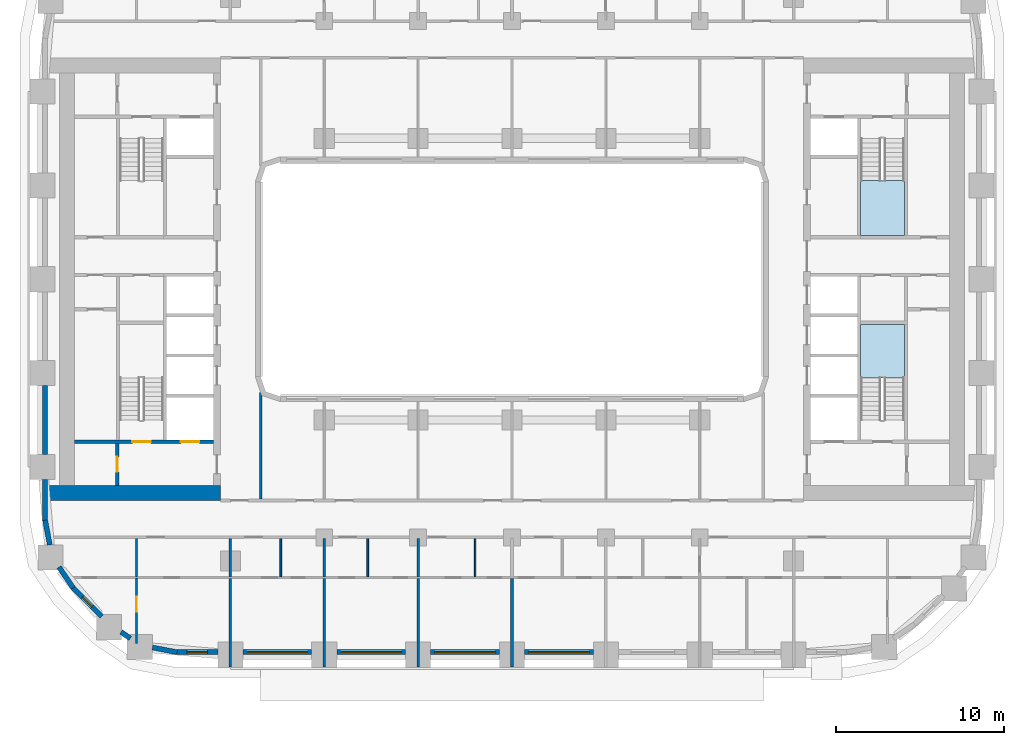
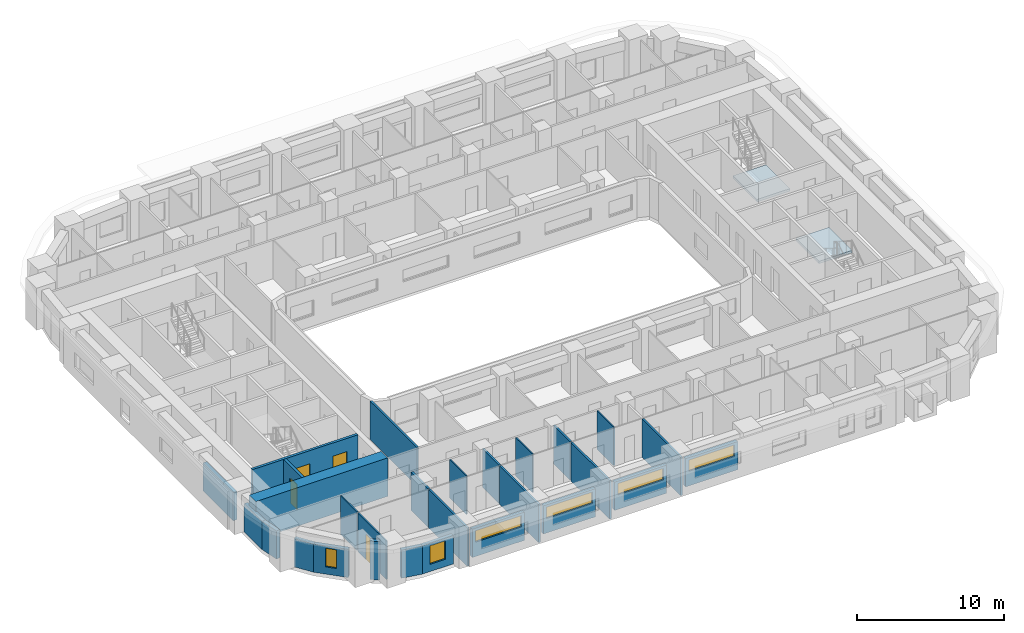
# One storey, part 2 of 21: 28 walls, 6 windows, 4 doors, 2 slabs, 10 openings, 2 elements without a shape of their own.
"""IFC4 building model written with IfcOpenShell, lengths in metres."""

from ifc_helpers import new_model, si_unit, direction, frame, frame_2d, origin, place, context, subcontext, project, spatial, polyline, rectangle, outline, extrude, material, layer, layer_set, type_object, element, fill, aggregate, save


model = new_model("IFC4")

# Units and contexts
model_context = context("Model", 3, precision=1e-05, world=origin(), true_north=direction((0.0, 1.0)))
body_context = subcontext(model_context, "Body", "Model", "MODEL_VIEW")
ifc_project = project(units=[si_unit("LENGTHUNIT", "METRE"), si_unit("AREAUNIT", "SQUARE_METRE"), si_unit("VOLUMEUNIT", "CUBIC_METRE"), si_unit("PLANEANGLEUNIT", "RADIAN"), si_unit("MASSUNIT", "GRAM", prefix="KILO")], contexts=[model_context])

# Site, building, storey
site_placement = place(None, origin())
site = spatial("IfcSite", under=ifc_project, at=site_placement, CompositionType="ELEMENT")
building_placement = place(site_placement, origin())
building = spatial("IfcBuilding", under=site, at=building_placement, Name="Kiln Ring Residences", CompositionType="ELEMENT")
storey_placement = place(building_placement, frame((0.0, 0.0, 34.0)))
storey = spatial("IfcBuildingStorey", under=building, at=storey_placement, Name="L07", CompositionType="ELEMENT", Elevation=34.0)

# Stair, slab
ifc_material_1 = material(Name="Concrete C40/50", Category="concrete")
stair_type = type_object("IfcStairType", Name="CORE-STAIR", PredefinedType="HALF_TURN_STAIR", material=ifc_material_1)
placement_1 = place(storey_placement, origin())
stair_1 = element("IfcStair", 1, at=placement_1, inside=storey, type_object=stair_type, Name="L07 stair E-STN", PredefinedType="HALF_TURN_STAIR")
ifc_material_2 = material(Name="Concrete C40/50", Category="concrete")
ifc_layer_1 = layer(ifc_material_2, 0.199951171875)
ifc_layer_set_1 = layer_set([ifc_layer_1], Name="CORE-STAIR-LANDING")
slab_type = type_object("IfcSlabType", Name="CORE-STAIR-LANDING", PredefinedType="LANDING", material=ifc_layer_set_1)
placement_2 = place(storey_placement, frame((0.0, 0.0, 1.550048828125)))
slab_1 = element("IfcSlab", 2, at=placement_2, type_object=slab_type, Name="E-STN landing 1", PredefinedType="LANDING", context=body_context, shape_type="SweptSolid", body=[
    extrude(outline(polyline([(20.800048828125, 5.8798828125), (20.800048828125, 2.60009765625), (23.39990234375, 2.60009765625), (23.39990234375, 5.8798828125), (20.800048828125, 5.8798828125)])), origin(), (0.0, 0.0, 1.0), 0.199951171875),
])
aggregate(stair_1, [slab_1])

stair_2 = element("IfcStair", 3, at=placement_1, inside=storey, type_object=stair_type, Name="L07 stair E-STS", PredefinedType="HALF_TURN_STAIR")
slab_2 = element("IfcSlab", 4, at=placement_2, type_object=slab_type, Name="E-STS landing 1", PredefinedType="LANDING", context=body_context, shape_type="SweptSolid", body=[
    extrude(outline(polyline([(23.39990234375, -5.8798828125), (23.39990234375, -2.699951171875), (20.800048828125, -2.699951171875), (20.800048828125, -5.8798828125), (23.39990234375, -5.8798828125)])), origin(), (0.0, 0.0, 1.0), 0.199951171875),
])
aggregate(stair_2, [slab_2])

# Wall, opening, door
ifc_material_3 = material(Name="Gypsum board on steel studs", Category="steel")
ifc_layer_2 = layer(ifc_material_3, 0.199951171875)
ifc_layer_set_2 = layer_set([ifc_layer_2], Name="CORE-PARTITION-200")
wall_type_1 = type_object("IfcWallType", Name="CORE-PARTITION-200", PredefinedType="PARTITIONING", material=ifc_layer_set_2)
wall_1_placement = place(storey_placement, frame((-23.550048828125, -12.300048828125, 0.0), z_axis=(0.0, 0.0, 1.0), x_axis=(0.0, 1.0, 0.0)))
wall_1 = element("IfcWall", 5, at=wall_1_placement, inside=storey, type_object=wall_type_1, Name="Core partition west L07 4", PredefinedType="PARTITIONING", context=body_context, shape_type="SweptSolid", body=[
    extrude(rectangle(XDim=2.5, YDim=0.199951171875, at=frame_2d((1.25, 0.0))), origin(), (0.0, 0.0, 1.0), 3.199951171875),
])
opening_1_placement = place(wall_1_placement, frame((0.800048828125, 0.0, 0.0)))
opening_1 = element("IfcOpeningElement", 6, at=opening_1_placement, cuts=wall_1, Name="Opening L07-CW10", PredefinedType="OPENING", context=body_context, shape_type="SweptSolid", body=[
    extrude(rectangle(XDim=0.89990234375, YDim=2.10009765625, at=frame_2d((0.449951171875, 1.050048828125))), frame((0.0, 0.10986328125, 0.0), z_axis=(0.0, -1.0, 0.0), x_axis=(1.0, 0.0, 0.0)), (0.0, 0.0, 1.0), 0.219970703125),
])
ifc_material_4 = material(Name="Steel door leaf", Category="steel")
door_type_1 = type_object("IfcDoorType", Name="CORE-DOOR-ROOM", OperationType="SINGLE_SWING_LEFT", PredefinedType="DOOR", material=ifc_material_4)
door_1_placement = place(opening_1_placement, origin())
door_1 = element("IfcDoor", 7, at=door_1_placement, inside=storey, type_object=door_type_1, Name="Store L07-CW10", OperationType="SINGLE_SWING_RIGHT", OverallHeight=2.10009765625, OverallWidth=0.89990234375, PredefinedType="DOOR", context=body_context, shape_type="SweptSolid", body=[
    extrude(rectangle(XDim=0.89990234375, YDim=2.10009765625, at=frame_2d((0.449951171875, 1.050048828125))), frame((0.0, 0.02490234375, 0.0), z_axis=(0.0, -1.0, 0.0), x_axis=(1.0, 0.0, 0.0)), (0.0, 0.0, 1.0), 0.050048828125),
])
fill(opening_1, door_1)

# Wall, openings, doors
ifc_material_5 = material(Name="Concrete C40/50", Category="concrete")
ifc_layer_3 = layer(ifc_material_5, 0.199951171875)
ifc_layer_set_3 = layer_set([ifc_layer_3], Name="CORE-WALL-RC200")
wall_type_2 = type_object("IfcWallType", Name="CORE-WALL-RC200", PredefinedType="SHEAR", material=ifc_layer_set_3)
wall_2_placement = place(storey_placement, frame((-17.800048828125, -9.699951171875, 0.0), z_axis=(0.0, 0.0, 1.0), x_axis=(-1.0, 0.0, 0.0)))
wall_2 = element("IfcWall", 8, at=wall_2_placement, inside=storey, type_object=wall_type_2, Name="Core wall west L07 8", PredefinedType="SHEAR", context=body_context, shape_type="SweptSolid", body=[
    extrude(rectangle(XDim=8.300048828125, YDim=0.199951171875, at=frame_2d((4.14990234375, 0.0))), origin(), (0.0, 0.0, 1.0), 3.199951171875),
])
opening_2_placement = place(wall_2_placement, frame((0.85009765625, 0.0, 0.0)))
opening_2 = element("IfcOpeningElement", 9, at=opening_2_placement, cuts=wall_2, Name="Opening L07-CW01", PredefinedType="OPENING", context=body_context, shape_type="SweptSolid", body=[
    extrude(rectangle(XDim=1.10009765625, YDim=2.10009765625, at=frame_2d((0.550048828125, 1.050048828125))), frame((0.0, 0.10986328125, 0.0), z_axis=(0.0, -1.0, 0.0), x_axis=(1.0, 0.0, 0.0)), (0.0, 0.0, 1.0), 0.219970703125),
])
opening_3_placement = place(wall_2_placement, frame((3.75, 0.0, 0.0)))
opening_3 = element("IfcOpeningElement", 10, at=opening_3_placement, cuts=wall_2, Name="Opening L07-CW12", PredefinedType="OPENING", context=body_context, shape_type="SweptSolid", body=[
    extrude(rectangle(XDim=1.10009765625, YDim=2.10009765625, at=frame_2d((0.550048828125, 1.050048828125))), frame((0.0, 0.10986328125, 0.0), z_axis=(0.0, -1.0, 0.0), x_axis=(1.0, 0.0, 0.0)), (0.0, 0.0, 1.0), 0.219970703125),
])
ifc_material_6 = material(Name="Steel door leaf", Category="steel")
door_type_2 = type_object("IfcDoorType", Name="CORE-DOOR-LD", OperationType="DOUBLE_DOOR_SLIDING", PredefinedType="DOOR", material=ifc_material_6)
door_2_placement = place(opening_2_placement, origin())
door_2 = element("IfcDoor", 11, at=door_2_placement, inside=storey, type_object=door_type_2, Name="LD W-SV L07-CW01", OperationType="DOUBLE_DOOR_SLIDING", OverallHeight=2.10009765625, OverallWidth=1.10009765625, PredefinedType="DOOR", context=body_context, shape_type="SweptSolid", body=[
    extrude(rectangle(XDim=1.10009765625, YDim=2.10009765625, at=frame_2d((0.550048828125, 1.050048828125))), frame((0.0, 0.02490234375, 0.0), z_axis=(0.0, -1.0, 0.0), x_axis=(1.0, 0.0, 0.0)), (0.0, 0.0, 1.0), 0.050048828125),
])
fill(opening_2, door_2)
ifc_material_7 = material(Name="Steel door leaf", Category="steel")
door_type_3 = type_object("IfcDoorType", Name="CORE-DOOR-STAIR", OperationType="SINGLE_SWING_LEFT", PredefinedType="DOOR", material=ifc_material_7)
door_3_placement = place(opening_3_placement, origin())
door_3 = element("IfcDoor", 12, at=door_3_placement, inside=storey, type_object=door_type_3, Name="Stair W-STS L07-CW12", OperationType="SINGLE_SWING_LEFT", OverallHeight=2.10009765625, OverallWidth=1.10009765625, PredefinedType="DOOR", context=body_context, shape_type="SweptSolid", body=[
    extrude(rectangle(XDim=1.10009765625, YDim=2.10009765625, at=frame_2d((0.550048828125, 1.050048828125))), frame((0.0, 0.02490234375, 0.0), z_axis=(0.0, -1.0, 0.0), x_axis=(1.0, 0.0, 0.0)), (0.0, 0.0, 1.0), 0.050048828125),
])
fill(opening_3, door_3)

# Wall
ifc_material_8 = material(Name="Concrete C60/75", Category="concrete")
ifc_layer_4 = layer(ifc_material_8, 0.89990234375)
ifc_layer_set_4 = layer_set([ifc_layer_4], Name="CORE-WALL-RC900")
wall_type_3 = type_object("IfcWallType", Name="CORE-WALL-RC900", PredefinedType="SHEAR", material=ifc_layer_set_4)
wall_3_placement = place(storey_placement, frame((-17.39990234375, -12.75, 0.0), z_axis=(0.0, 0.0, 1.0), x_axis=(-1.0, 0.0, 0.0)))
element("IfcWall", 13, at=wall_3_placement, inside=storey, type_object=wall_type_3, Name="Core wall west L07 5", PredefinedType="SHEAR", context=body_context, shape_type="SweptSolid", body=[
    extrude(rectangle(XDim=10.400146484375, YDim=0.89990234375, at=frame_2d((5.2001953125, 0.0))), origin(), (0.0, 0.0, 1.0), 3.199951171875),
])

# Wall, opening, window
ifc_material_9 = material(Name="Brick masonry, dark clay brick", Category="masonry")
ifc_layer_5 = layer(ifc_material_9, 0.300048828125)
ifc_layer_set_5 = layer_set([ifc_layer_5], Name="EW-300 BRICK WALL")
wall_type_4 = type_object("IfcWallType", Name="EW-300 BRICK WALL", PredefinedType="SOLIDWALL", material=ifc_layer_set_5)
wall_4_placement = place(storey_placement, frame((-26.19677734375, -18.390869140625, 0.0), z_axis=(0.0, 0.0, 1.0), x_axis=(0.707106781187, -0.707106781187, 0.0)))
wall_4 = element("IfcWall", 14, at=wall_4_placement, inside=storey, type_object=wall_type_4, Name="Facade wall L07 1", PredefinedType="SOLIDWALL", context=body_context, shape_type="SweptSolid", body=[
    extrude(rectangle(XDim=2.449951171875, YDim=0.300048828125, at=frame_2d((1.22509765625, 0.0))), origin(), (0.0, 0.0, 1.0), 2.35009765625),
])
opening_4_placement = place(wall_4_placement, frame((0.824951171875, 0.0, 0.60009765625)))
opening_4 = element("IfcOpeningElement", 15, at=opening_4_placement, cuts=wall_4, Name="Opening W5", PredefinedType="OPENING", context=body_context, shape_type="SweptSolid", body=[
    extrude(rectangle(XDim=0.800048828125, YDim=1.550048828125, at=frame_2d((0.39990234375, 0.77490234375))), frame((0.0, 0.159912109375, 0.0), z_axis=(0.0, -1.0, 0.0), x_axis=(1.0, 0.0, 0.0)), (0.0, 0.0, 1.0), 0.320068359375),
])
ifc_material_10 = material(Name="Aluminium frame with double glazing", Category="aluminium")
window_type_1 = type_object("IfcWindowType", Name="WINDOW 800 x 1550", PartitioningType="SINGLE_PANEL", PredefinedType="WINDOW", material=ifc_material_10)
window_1_placement = place(opening_4_placement, origin())
window_1 = element("IfcWindow", 16, at=window_1_placement, inside=storey, type_object=window_type_1, Name="Window L07 1", OverallHeight=1.550048828125, OverallWidth=0.800048828125, PartitioningType="SINGLE_PANEL", PredefinedType="WINDOW", context=body_context, shape_type="SweptSolid", body=[
    extrude(rectangle(XDim=0.800048828125, YDim=1.550048828125, at=frame_2d((0.39990234375, 0.77490234375))), frame((0.0, 0.030029296875, 0.0), z_axis=(0.0, -1.0, 0.0), x_axis=(1.0, 0.0, 0.0)), (0.0, 0.0, 1.0), 0.06005859375),
])
fill(opening_4, window_1)

# Walls
wall_5_placement = place(storey_placement, frame((-23.3271484375, -21.044921875, 0.0), z_axis=(0.0, 0.0, 1.0), x_axis=(0.827080706709, -0.562083182981, 0.0)))
element("IfcWall", 17, at=wall_5_placement, inside=storey, type_object=wall_type_4, Name="Facade wall L07 2", PredefinedType="SOLIDWALL", context=body_context, shape_type="SweptSolid", body=[
    extrude(rectangle(XDim=0.67724609375, YDim=0.300048828125, at=frame_2d((0.338623046875, 0.0))), origin(), (0.0, 0.0, 1.0), 3.199951171875),
])
wall_6_placement = place(storey_placement, frame((-21.451416015625, -21.970458984375, 0.0), z_axis=(0.0, 0.0, 1.0), x_axis=(0.982287454367, -0.187380247071, 0.0)))
element("IfcWall", 18, at=wall_6_placement, inside=storey, type_object=wall_type_4, Name="Facade wall L07 3", PredefinedType="SOLIDWALL", context=body_context, shape_type="SweptSolid", body=[
    extrude(rectangle(XDim=1.506103515625, YDim=0.300048828125, at=frame_2d((0.7529296875, 0.0))), origin(), (0.0, 0.0, 1.0), 2.35009765625),
])

# Wall, opening, window
wall_7_placement = place(storey_placement, frame((-20.0, -22.25, 0.0), z_axis=(0.0, 0.0, 1.0), x_axis=(1.0, 0.0, 0.0)))
wall_7 = element("IfcWall", 19, at=wall_7_placement, inside=storey, type_object=wall_type_4, Name="Facade wall L07 4", PredefinedType="SOLIDWALL", context=body_context, shape_type="SweptSolid", body=[
    extrude(rectangle(XDim=2.449951171875, YDim=0.300048828125, at=frame_2d((1.22509765625, 0.0))), origin(), (0.0, 0.0, 1.0), 2.35009765625),
])
opening_5_placement = place(wall_7_placement, frame((0.625, 0.0, 0.60009765625)))
opening_5 = element("IfcOpeningElement", 20, at=opening_5_placement, cuts=wall_7, Name="Opening W1", PredefinedType="OPENING", context=body_context, shape_type="SweptSolid", body=[
    extrude(rectangle(XDim=1.199951171875, YDim=1.550048828125, at=frame_2d((0.60009765625, 0.77490234375))), frame((0.0, 0.159912109375, 0.0), z_axis=(0.0, -1.0, 0.0), x_axis=(1.0, 0.0, 0.0)), (0.0, 0.0, 1.0), 0.320068359375),
])
ifc_material_11 = material(Name="Aluminium frame with double glazing", Category="aluminium")
window_type_2 = type_object("IfcWindowType", Name="WINDOW 1200 x 1550", PartitioningType="SINGLE_PANEL", PredefinedType="WINDOW", material=ifc_material_11)
window_2_placement = place(opening_5_placement, origin())
window_2 = element("IfcWindow", 21, at=window_2_placement, inside=storey, type_object=window_type_2, Name="Window L07 2", OverallHeight=1.550048828125, OverallWidth=1.199951171875, PartitioningType="SINGLE_PANEL", PredefinedType="WINDOW", context=body_context, shape_type="SweptSolid", body=[
    extrude(rectangle(XDim=1.199951171875, YDim=1.550048828125, at=frame_2d((0.60009765625, 0.77490234375))), frame((0.0, 0.030029296875, 0.0), z_axis=(0.0, -1.0, 0.0), x_axis=(1.0, 0.0, 0.0)), (0.0, 0.0, 1.0), 0.06005859375),
])
fill(opening_5, window_2)

wall_8_placement = place(storey_placement, frame((-16.050048828125, -22.25, 0.0), z_axis=(0.0, 0.0, 1.0), x_axis=(1.0, 0.0, 0.0)))
wall_8 = element("IfcWall", 22, at=wall_8_placement, inside=storey, type_object=wall_type_4, Name="Facade wall L07 5", PredefinedType="SOLIDWALL", context=body_context, shape_type="SweptSolid", body=[
    extrude(rectangle(XDim=4.10009765625, YDim=0.300048828125, at=frame_2d((2.050048828125, 0.0))), origin(), (0.0, 0.0, 1.0), 2.35009765625),
])
opening_6_placement = place(wall_8_placement, frame((0.25, 0.0, 1.199951171875)))
opening_6 = element("IfcOpeningElement", 23, at=opening_6_placement, cuts=wall_8, Name="Opening W4", PredefinedType="OPENING", context=body_context, shape_type="SweptSolid", body=[
    extrude(rectangle(XDim=3.60009765625, YDim=0.949951171875, at=frame_2d((1.800048828125, 0.47509765625))), frame((0.0, 0.159912109375, 0.0), z_axis=(0.0, -1.0, 0.0), x_axis=(1.0, 0.0, 0.0)), (0.0, 0.0, 1.0), 0.320068359375),
])
ifc_material_12 = material(Name="Aluminium frame with double glazing", Category="aluminium")
window_type_3 = type_object("IfcWindowType", Name="WINDOW 3600 x 950", PartitioningType="SINGLE_PANEL", PredefinedType="WINDOW", material=ifc_material_12)
window_3_placement = place(opening_6_placement, origin())
window_3 = element("IfcWindow", 24, at=window_3_placement, inside=storey, type_object=window_type_3, Name="Window L07 3", OverallHeight=0.949951171875, OverallWidth=3.60009765625, PartitioningType="SINGLE_PANEL", PredefinedType="WINDOW", context=body_context, shape_type="SweptSolid", body=[
    extrude(rectangle(XDim=3.60009765625, YDim=0.949951171875, at=frame_2d((1.800048828125, 0.47509765625))), frame((0.0, 0.030029296875, 0.0), z_axis=(0.0, -1.0, 0.0), x_axis=(1.0, 0.0, 0.0)), (0.0, 0.0, 1.0), 0.06005859375),
])
fill(opening_6, window_3)

wall_9_placement = place(storey_placement, frame((-10.449951171875, -22.25, 0.0), z_axis=(0.0, 0.0, 1.0), x_axis=(1.0, 0.0, 0.0)))
wall_9 = element("IfcWall", 25, at=wall_9_placement, inside=storey, type_object=wall_type_4, Name="Facade wall L07 6", PredefinedType="SOLIDWALL", context=body_context, shape_type="SweptSolid", body=[
    extrude(rectangle(XDim=4.099853515625, YDim=0.300048828125, at=frame_2d((2.0498046875, 0.0))), origin(), (0.0, 0.0, 1.0), 2.35009765625),
])
opening_7_placement = place(wall_9_placement, frame((0.25, 0.0, 1.199951171875)))
opening_7 = element("IfcOpeningElement", 26, at=opening_7_placement, cuts=wall_9, Name="Opening W4", PredefinedType="OPENING", context=body_context, shape_type="SweptSolid", body=[
    extrude(rectangle(XDim=3.60009765625, YDim=0.949951171875, at=frame_2d((1.800048828125, 0.47509765625))), frame((0.0, 0.159912109375, 0.0), z_axis=(0.0, -1.0, 0.0), x_axis=(1.0, 0.0, 0.0)), (0.0, 0.0, 1.0), 0.320068359375),
])
window_4_placement = place(opening_7_placement, origin())
window_4 = element("IfcWindow", 27, at=window_4_placement, inside=storey, type_object=window_type_3, Name="Window L07 4", OverallHeight=0.949951171875, OverallWidth=3.60009765625, PartitioningType="SINGLE_PANEL", PredefinedType="WINDOW", context=body_context, shape_type="SweptSolid", body=[
    extrude(rectangle(XDim=3.60009765625, YDim=0.949951171875, at=frame_2d((1.800048828125, 0.47509765625))), frame((0.0, 0.030029296875, 0.0), z_axis=(0.0, -1.0, 0.0), x_axis=(1.0, 0.0, 0.0)), (0.0, 0.0, 1.0), 0.06005859375),
])
fill(opening_7, window_4)

wall_10_placement = place(storey_placement, frame((-4.85009765625, -22.25, 0.0), z_axis=(0.0, 0.0, 1.0), x_axis=(1.0, 0.0, 0.0)))
wall_10 = element("IfcWall", 28, at=wall_10_placement, inside=storey, type_object=wall_type_4, Name="Facade wall L07 7", PredefinedType="SOLIDWALL", context=body_context, shape_type="SweptSolid", body=[
    extrude(rectangle(XDim=4.10009765625, YDim=0.300048828125, at=frame_2d((2.050048828125, 0.0))), origin(), (0.0, 0.0, 1.0), 2.35009765625),
])
opening_8_placement = place(wall_10_placement, frame((0.25, 0.0, 1.199951171875)))
opening_8 = element("IfcOpeningElement", 29, at=opening_8_placement, cuts=wall_10, Name="Opening W4", PredefinedType="OPENING", context=body_context, shape_type="SweptSolid", body=[
    extrude(rectangle(XDim=3.60009765625, YDim=0.949951171875, at=frame_2d((1.800048828125, 0.47509765625))), frame((0.0, 0.159912109375, 0.0), z_axis=(0.0, -1.0, 0.0), x_axis=(1.0, 0.0, 0.0)), (0.0, 0.0, 1.0), 0.320068359375),
])
window_5_placement = place(opening_8_placement, origin())
window_5 = element("IfcWindow", 30, at=window_5_placement, inside=storey, type_object=window_type_3, Name="Window L07 5", OverallHeight=0.949951171875, OverallWidth=3.60009765625, PartitioningType="SINGLE_PANEL", PredefinedType="WINDOW", context=body_context, shape_type="SweptSolid", body=[
    extrude(rectangle(XDim=3.60009765625, YDim=0.949951171875, at=frame_2d((1.800048828125, 0.47509765625))), frame((0.0, 0.030029296875, 0.0), z_axis=(0.0, -1.0, 0.0), x_axis=(1.0, 0.0, 0.0)), (0.0, 0.0, 1.0), 0.06005859375),
])
fill(opening_8, window_5)

wall_11_placement = place(storey_placement, frame((0.75, -22.25, 0.0), z_axis=(0.0, 0.0, 1.0), x_axis=(1.0, 0.0, 0.0)))
wall_11 = element("IfcWall", 31, at=wall_11_placement, inside=storey, type_object=wall_type_4, Name="Facade wall L07 8", PredefinedType="SOLIDWALL", context=body_context, shape_type="SweptSolid", body=[
    extrude(rectangle(XDim=4.10009765625, YDim=0.300048828125, at=frame_2d((2.050048828125, 0.0))), origin(), (0.0, 0.0, 1.0), 2.35009765625),
])
opening_9_placement = place(wall_11_placement, frame((0.25, 0.0, 1.199951171875)))
opening_9 = element("IfcOpeningElement", 32, at=opening_9_placement, cuts=wall_11, Name="Opening W4", PredefinedType="OPENING", context=body_context, shape_type="SweptSolid", body=[
    extrude(rectangle(XDim=3.60009765625, YDim=0.949951171875, at=frame_2d((1.800048828125, 0.47509765625))), frame((0.0, 0.159912109375, 0.0), z_axis=(0.0, -1.0, 0.0), x_axis=(1.0, 0.0, 0.0)), (0.0, 0.0, 1.0), 0.320068359375),
])
window_6_placement = place(opening_9_placement, origin())
window_6 = element("IfcWindow", 33, at=window_6_placement, inside=storey, type_object=window_type_3, Name="Window L07 6", OverallHeight=0.949951171875, OverallWidth=3.60009765625, PartitioningType="SINGLE_PANEL", PredefinedType="WINDOW", context=body_context, shape_type="SweptSolid", body=[
    extrude(rectangle(XDim=3.60009765625, YDim=0.949951171875, at=frame_2d((1.800048828125, 0.47509765625))), frame((0.0, 0.030029296875, 0.0), z_axis=(0.0, -1.0, 0.0), x_axis=(1.0, 0.0, 0.0)), (0.0, 0.0, 1.0), 0.06005859375),
])
fill(opening_9, window_6)

# Walls
wall_12_placement = place(storey_placement, frame((-27.85009765625, -6.35009765625, 0.0), z_axis=(0.0, 0.0, 1.0), x_axis=(0.0, -1.0, 0.0)))
element("IfcWall", 34, at=wall_12_placement, inside=storey, type_object=wall_type_4, Name="Facade wall L07 45", PredefinedType="SOLIDWALL", context=body_context, shape_type="SweptSolid", body=[
    extrude(rectangle(XDim=4.099853515625, YDim=0.300048828125, at=frame_2d((2.0498046875, 0.0))), origin(), (0.0, 0.0, 1.0), 2.35009765625),
])
wall_13_placement = place(storey_placement, frame((-27.85009765625, -11.949951171875, 0.0), z_axis=(0.0, 0.0, 1.0), x_axis=(0.0, -1.0, 0.0)))
element("IfcWall", 35, at=wall_13_placement, inside=storey, type_object=wall_type_4, Name="Facade wall L07 46", PredefinedType="SOLIDWALL", context=body_context, shape_type="SweptSolid", body=[
    extrude(rectangle(XDim=2.449951171875, YDim=0.300048828125, at=frame_2d((1.22509765625, 0.0))), origin(), (0.0, 0.0, 1.0), 2.35009765625),
])
for number, where, z_axis, x_axis, name in (
    (36, (-27.8525390625, -14.371826171875, 0.0), (0.0, 0.0, 1.0), (0.187223837635, -0.982317277982, 0.0), "Facade wall L07 47"),
    (37, (-27.025390625, -17.1669921875, 0.0), (0.0, 0.0, 1.0), (0.561973021955, -0.827155561303, 0.0), "Facade wall L07 48"),
):
    element("IfcWall", number, at=place(storey_placement, frame(where, z_axis=z_axis, x_axis=x_axis)), inside=storey, type_object=wall_type_4, Name=name, PredefinedType="SOLIDWALL", context=body_context, shape_type="SweptSolid", body=[
        extrude(rectangle(XDim=1.506103515625, YDim=0.300048828125, at=frame_2d((0.7529296875, 0.0))), origin(), (0.0, 0.0, 1.0), 2.35009765625),
    ])

# Wall, opening, door
ifc_material_13 = material(Name="Gypsum board on steel studs", Category="steel")
ifc_layer_6 = layer(ifc_material_13, 0.10009765625)
ifc_layer_set_6 = layer_set([ifc_layer_6], Name="PARTITION-100")
wall_type_5 = type_object("IfcWallType", Name="PARTITION-100", PredefinedType="PARTITIONING", material=ifc_layer_set_6)
wall_14_placement = place(storey_placement, frame((-22.39990234375, -21.719970703125, 0.0), z_axis=(0.0, 0.0, 1.0), x_axis=(0.0, 1.0, 0.0)))
wall_14 = element("IfcWall", 38, at=wall_14_placement, inside=storey, type_object=wall_type_5, Name="Partition 006", PredefinedType="PARTITIONING", context=body_context, shape_type="SweptSolid", body=[
    extrude(rectangle(XDim=3.869873046875, YDim=0.10009765625, at=frame_2d((1.93505859375, 0.0))), origin(), (0.0, 0.0, 1.0), 3.199951171875),
])
opening_10_placement = place(wall_14_placement, frame((1.8701171875, 0.0, 0.0)))
opening_10 = element("IfcOpeningElement", 39, at=opening_10_placement, cuts=wall_14, Name="Opening L07-D046", PredefinedType="OPENING", context=body_context, shape_type="SweptSolid", body=[
    extrude(rectangle(XDim=0.89990234375, YDim=2.10009765625, at=frame_2d((0.449951171875, 1.050048828125))), frame((0.0, 0.06005859375, 0.0), z_axis=(0.0, -1.0, 0.0), x_axis=(1.0, 0.0, 0.0)), (0.0, 0.0, 1.0), 0.1201171875),
])
ifc_material_14 = material(Name="Timber door leaf", Category="wood")
door_type_4 = type_object("IfcDoorType", Name="FLAT-DOOR-900-PL", OperationType="SINGLE_SWING_LEFT", PredefinedType="DOOR", material=ifc_material_14)
door_4_placement = place(opening_10_placement, origin())
door_4 = element("IfcDoor", 40, at=door_4_placement, inside=storey, type_object=door_type_4, Name="Door L07-D046", OperationType="SINGLE_SWING_LEFT", OverallHeight=2.10009765625, OverallWidth=0.89990234375, PredefinedType="DOOR", context=body_context, shape_type="SweptSolid", body=[
    extrude(rectangle(XDim=0.89990234375, YDim=2.10009765625, at=frame_2d((0.449951171875, 1.050048828125))), frame((0.0, 0.02490234375, 0.0), z_axis=(0.0, -1.0, 0.0), x_axis=(1.0, 0.0, 0.0)), (0.0, 0.0, 1.0), 0.050048828125),
])
fill(opening_10, door_4)

# Walls
for number, where, z_axis, x_axis, name in (
    (41, (-22.39990234375, -17.75, 0.0), (0.0, 0.0, 1.0), (0.0, 1.0, 0.0), "Partition 007"),
    (42, (-13.800048828125, -17.75, 0.0), (0.0, 0.0, 1.0), (0.0, 1.0, 0.0), "Partition 017"),
    (43, (-8.60009765625, -17.75, 0.0), (0.0, 0.0, 1.0), (0.0, 1.0, 0.0), "Partition 024"),
    (44, (-2.199951171875, -17.75, 0.0), (0.0, 0.0, 1.0), (0.0, 1.0, 0.0), "Partition 032"),
):
    element("IfcWall", number, at=place(storey_placement, frame(where, z_axis=z_axis, x_axis=x_axis)), inside=storey, type_object=wall_type_5, Name=name, PredefinedType="PARTITIONING", context=body_context, shape_type="SweptSolid", body=[
        extrude(rectangle(XDim=2.27490234375, YDim=0.10009765625, at=frame_2d((1.137451171875, 0.0))), origin(), (0.0, 0.0, 1.0), 3.199951171875),
    ])
ifc_material_15 = material(Name="Brick masonry partition", Category="masonry")
ifc_layer_7 = layer(ifc_material_15, 0.14990234375)
ifc_layer_set_7 = layer_set([ifc_layer_7], Name="PARTITION-150-ei60")
wall_type_6 = type_object("IfcWallType", Name="PARTITION-150-ei60", PredefinedType="PARTITIONING", material=ifc_layer_set_7)
wall_15_placement = place(storey_placement, frame((-16.800048828125, -23.1298828125, 0.0), z_axis=(0.0, 0.0, 1.0), x_axis=(0.0, 1.0, 0.0)))
element("IfcWall", 45, at=wall_15_placement, inside=storey, type_object=wall_type_6, Name="Partition 010", PredefinedType="PARTITIONING", context=body_context, shape_type="SweptSolid", body=[
    extrude(rectangle(XDim=5.27978515625, YDim=0.14990234375, at=frame_2d((2.639892578125, 0.0))), origin(), (0.0, 0.0, 1.0), 3.199951171875),
])
wall_16_placement = place(storey_placement, frame((-16.800048828125, -17.75, 0.0), z_axis=(0.0, 0.0, 1.0), x_axis=(0.0, 1.0, 0.0)))
element("IfcWall", 46, at=wall_16_placement, inside=storey, type_object=wall_type_6, Name="Partition 011", PredefinedType="PARTITIONING", context=body_context, shape_type="SweptSolid", body=[
    extrude(rectangle(XDim=2.27490234375, YDim=0.14990234375, at=frame_2d((1.137451171875, 0.0))), origin(), (0.0, 0.0, 1.0), 3.199951171875),
])
wall_17_placement = place(storey_placement, frame((-15.0, -13.125, 0.0), z_axis=(0.0, 0.0, 1.0), x_axis=(0.0, 1.0, 0.0)))
element("IfcWall", 47, at=wall_17_placement, inside=storey, type_object=wall_type_6, Name="Partition 014", PredefinedType="PARTITIONING", context=body_context, shape_type="SweptSolid", body=[
    extrude(rectangle(XDim=6.356201171875, YDim=0.14990234375, at=frame_2d((3.17822265625, 0.0))), origin(), (0.0, 0.0, 1.0), 3.199951171875),
])
wall_18_placement = place(storey_placement, frame((-11.199951171875, -23.1298828125, 0.0), z_axis=(0.0, 0.0, 1.0), x_axis=(0.0, 1.0, 0.0)))
element("IfcWall", 48, at=wall_18_placement, inside=storey, type_object=wall_type_6, Name="Partition 022", PredefinedType="PARTITIONING", context=body_context, shape_type="SweptSolid", body=[
    extrude(rectangle(XDim=5.27978515625, YDim=0.14990234375, at=frame_2d((2.639892578125, 0.0))), origin(), (0.0, 0.0, 1.0), 3.199951171875),
])
wall_19_placement = place(storey_placement, frame((-11.199951171875, -17.75, 0.0), z_axis=(0.0, 0.0, 1.0), x_axis=(0.0, 1.0, 0.0)))
element("IfcWall", 49, at=wall_19_placement, inside=storey, type_object=wall_type_6, Name="Partition 023", PredefinedType="PARTITIONING", context=body_context, shape_type="SweptSolid", body=[
    extrude(rectangle(XDim=2.27490234375, YDim=0.14990234375, at=frame_2d((1.137451171875, 0.0))), origin(), (0.0, 0.0, 1.0), 3.199951171875),
])
wall_20_placement = place(storey_placement, frame((-5.60009765625, -23.1298828125, 0.0), z_axis=(0.0, 0.0, 1.0), x_axis=(0.0, 1.0, 0.0)))
element("IfcWall", 50, at=wall_20_placement, inside=storey, type_object=wall_type_6, Name="Partition 028", PredefinedType="PARTITIONING", context=body_context, shape_type="SweptSolid", body=[
    extrude(rectangle(XDim=5.27978515625, YDim=0.14990234375, at=frame_2d((2.639892578125, 0.0))), origin(), (0.0, 0.0, 1.0), 3.199951171875),
])
wall_21_placement = place(storey_placement, frame((-5.60009765625, -17.75, 0.0), z_axis=(0.0, 0.0, 1.0), x_axis=(0.0, 1.0, 0.0)))
element("IfcWall", 51, at=wall_21_placement, inside=storey, type_object=wall_type_6, Name="Partition 029", PredefinedType="PARTITIONING", context=body_context, shape_type="SweptSolid", body=[
    extrude(rectangle(XDim=2.27490234375, YDim=0.14990234375, at=frame_2d((1.137451171875, 0.0))), origin(), (0.0, 0.0, 1.0), 3.199951171875),
])
wall_22_placement = place(storey_placement, frame((0.0, -23.1298828125, 0.0), z_axis=(0.0, 0.0, 1.0), x_axis=(0.0, 1.0, 0.0)))
element("IfcWall", 52, at=wall_22_placement, inside=storey, type_object=wall_type_6, Name="Partition 036", PredefinedType="PARTITIONING", context=body_context, shape_type="SweptSolid", body=[
    extrude(rectangle(XDim=5.27978515625, YDim=0.14990234375, at=frame_2d((2.639892578125, 0.0))), origin(), (0.0, 0.0, 1.0), 3.199951171875),
])

save(model, "model.ifc")
